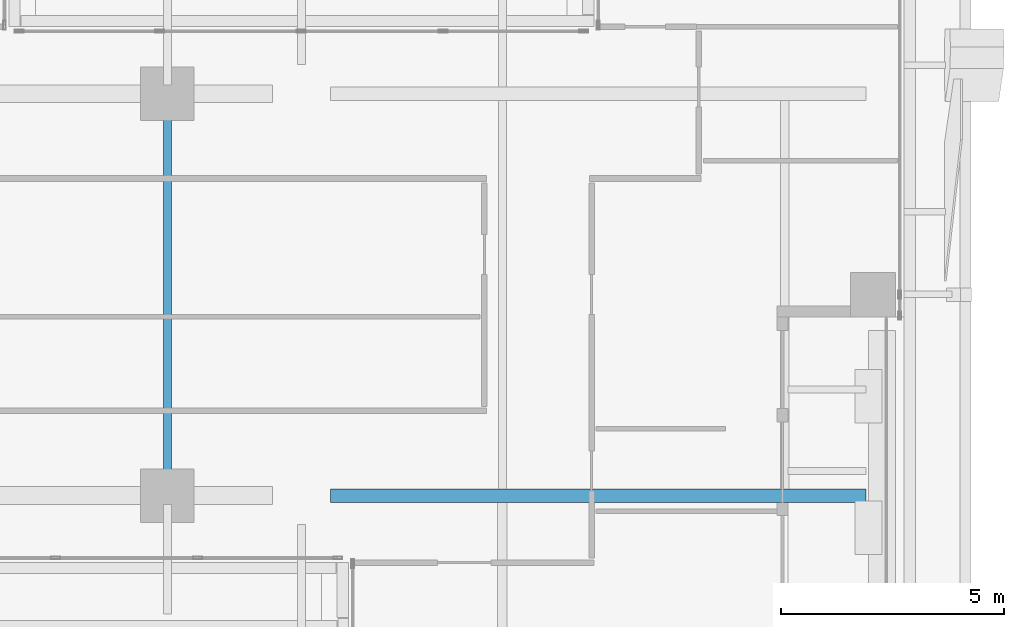
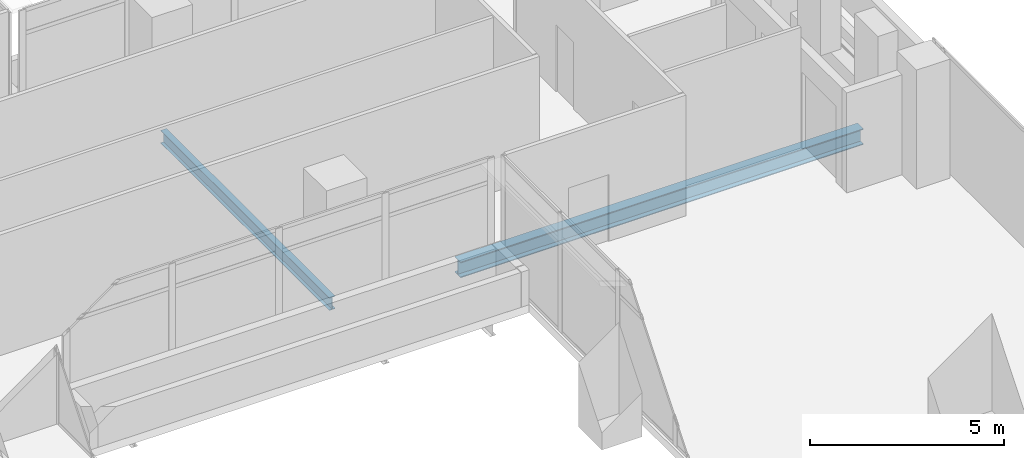
# One storey, part 12 of 43: 2 beams.
"""IFC4 building model written with IfcOpenShell, lengths in metres."""

from ifc_helpers import new_model, si_unit, direction, frame, origin, origin_2d, place, context, subcontext, project, spatial, i_section, extrude, source, transform, mapped, material, material_profile, profile_set, type_object, element, save


model = new_model("IFC4")

# Units and contexts
model_context = context("Model", 3, precision=1e-05, world=origin(), true_north=direction((0.0, 1.0)))
body_context = subcontext(model_context, "Body", "Model", "MODEL_VIEW")
ifc_project = project(units=[si_unit("LENGTHUNIT", "METRE"), si_unit("AREAUNIT", "SQUARE_METRE"), si_unit("VOLUMEUNIT", "CUBIC_METRE"), si_unit("PLANEANGLEUNIT", "RADIAN"), si_unit("MASSUNIT", "GRAM", prefix="KILO")], contexts=[model_context])

# Site, building, storey
site_placement = place(None, origin())
site = spatial("IfcSite", under=ifc_project, at=site_placement, CompositionType="ELEMENT")
building_placement = place(site_placement, origin())
building = spatial("IfcBuilding", under=site, at=building_placement, Name="Khomas Fold Tower", CompositionType="ELEMENT")
storey_placement = place(building_placement, frame((0.0, 0.0, 164.699951171875)))
storey = spatial("IfcBuildingStorey", under=building, at=storey_placement, Name="L35", CompositionType="ELEMENT", Elevation=164.699951171875)

# Beams
ifc_material_1 = material(Name="Steel S355", Category="steel")
ifc_material_profile_1 = material_profile(ifc_material_1, i_section(OverallWidth=0.179931640625, OverallDepth=0.39990234375, WebThickness=0.008544921875, FlangeThickness=0.013427734375, at=origin_2d()), Name="IPE 400")
ifc_profile_set_1 = profile_set([ifc_material_profile_1], Name="Steel S355")
beam_type_1 = type_object("IfcBeamType", Name="IPE 400 beam JB3", PredefinedType="BEAM", material=ifc_profile_set_1)
shared_shape_1 = source(origin(), body_context, "Body", "SweptSolid", [
    extrude(i_section(OverallWidth=0.179931640625, OverallDepth=0.39990234375, WebThickness=0.008544921875, FlangeThickness=0.013427734375, at=origin_2d()), origin(), (0.0, 0.0, 1.0), 8.7001953125),
])
beam_1_placement = place(storey_placement, frame((34.5, 22.64990234375, -0.449951171875), z_axis=(0.0, 1.0, 0.0), x_axis=(-1.0, 0.0, 0.0)))
element("IfcBeam", 1, at=beam_1_placement, inside=storey, type_object=beam_type_1, Name="JB3", PredefinedType="BEAM", context=body_context, shape_type="MappedRepresentation", body=[
    mapped(shared_shape_1, transform((0.0, 0.0, 0.0))),
])
ifc_material_2 = material(Name="Steel S355", Category="steel")
ifc_material_profile_2 = material_profile(ifc_material_2, i_section(OverallWidth=0.300048828125, OverallDepth=0.5, WebThickness=0.014404296875, FlangeThickness=0.028076171875, at=origin_2d()), Name="HE 500 B")
ifc_profile_set_2 = profile_set([ifc_material_profile_2], Name="Steel S355")
beam_type_2 = type_object("IfcBeamType", Name="HE 500 B beam GB3", PredefinedType="BEAM", material=ifc_profile_set_2)
shared_shape_2 = source(origin(), body_context, "Body", "SweptSolid", [
    extrude(i_section(OverallWidth=0.300048828125, OverallDepth=0.5, WebThickness=0.014404296875, FlangeThickness=0.028076171875, at=origin_2d()), origin(), (0.0, 0.0, 1.0), 12.0),
])
beam_2_placement = place(storey_placement, frame((38.14990234375, 22.5, -0.5), z_axis=(1.0, 0.0, 0.0), x_axis=(0.0, 1.0, 0.0)))
element("IfcBeam", 2, at=beam_2_placement, inside=storey, type_object=beam_type_2, Name="GB3", PredefinedType="BEAM", context=body_context, shape_type="MappedRepresentation", body=[
    mapped(shared_shape_2, transform((0.0, 0.0, 0.0))),
])

save(model, "model.ifc")
